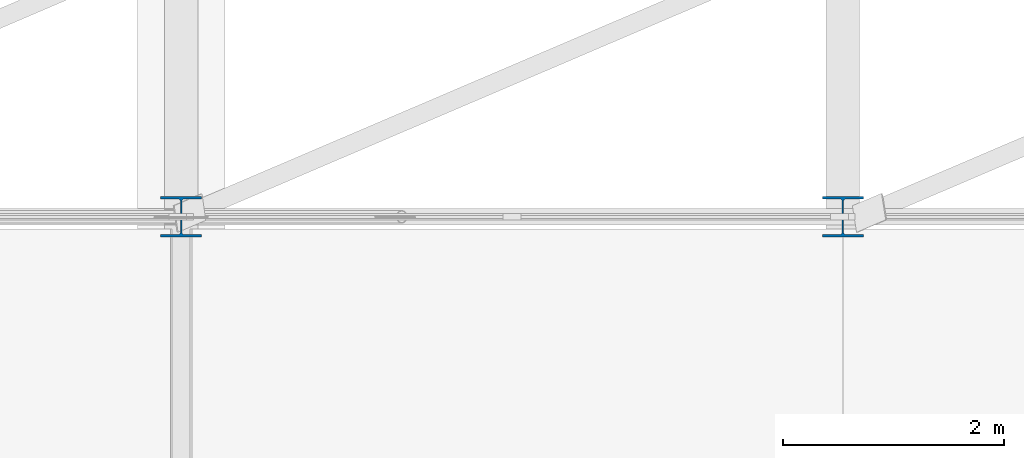
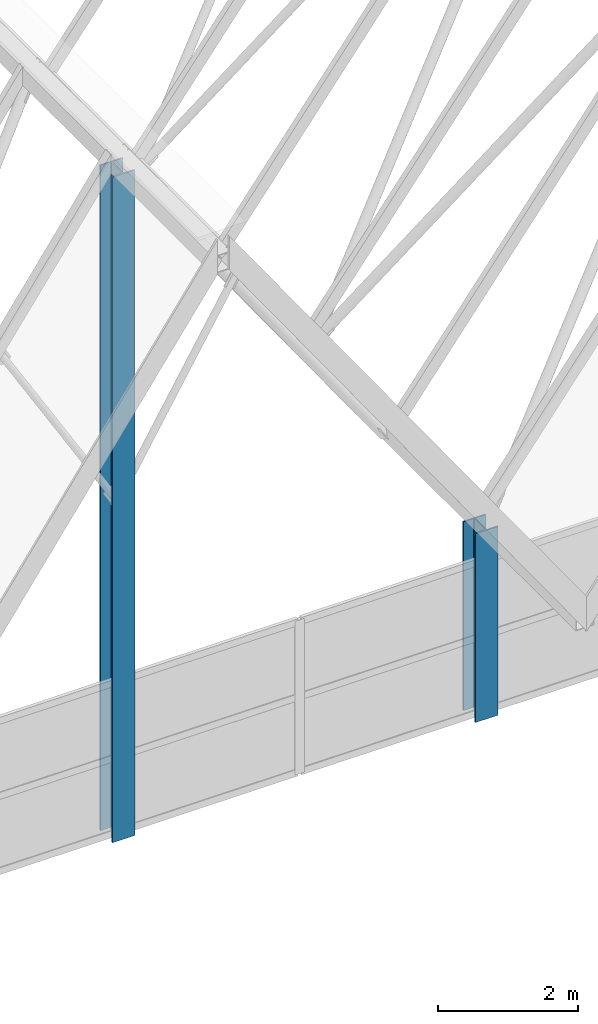
# One storey, part 2 of 483: 2 columns.
"""IFC4 building model written with IfcOpenShell, lengths in metres."""

import ifcopenshell
import ifcopenshell.guid

model = None  # the IFC model being written
_history = None  # IfcOwnerHistory: only IFC2X3 demands one
_inside = {}  # id of a spatial element -> (the spatial element, [elements in it])
_under = {}  # id of a project, library or spatial element -> (it, [spatial elements below it])
_declared = {}  # id of a project -> (the project, [libraries it declares])
_typed = {}  # id of a type object -> (the type object, [elements of that type])
_made_of = {}  # id of a material, layer set ... -> (it, [elements and type objects made of it])


def new_model(schema):
    """Start an empty IFC model of exactly this schema.

    Asked for "IFC4X3", IfcOpenShell would pick the latest addendum, in which some entities
    have other attributes; the version numbers below select the first issue.
    IFC2X3 requires an IfcOwnerHistory on every rooted entity: one is made here for all.
    """
    global model, _history
    if schema == "IFC4X3":
        model = ifcopenshell.file(schema_version=(4, 3, 0, 0))
    else:
        model = ifcopenshell.file(schema=schema)
    _inside.clear()
    _under.clear()
    _declared.clear()
    _typed.clear()
    _made_of.clear()
    _history = None
    if model.schema == "IFC2X3":
        org = make("IfcOrganization", Name="unknown")
        user = make(
            "IfcPersonAndOrganization",
            ThePerson=make("IfcPerson", FamilyName="unknown"),
            TheOrganization=org,
        )
        app = make(
            "IfcApplication",
            ApplicationDeveloper=org,
            Version="unknown",
            ApplicationFullName="unknown",
            ApplicationIdentifier="unknown",
        )
        _history = make(
            "IfcOwnerHistory",
            OwningUser=user,
            OwningApplication=app,
            ChangeAction="ADDED",
            CreationDate=0,
        )
    return model


def make(cls, **values):
    """One entity of the class cls with the attributes given. An attribute that is None is left unset."""
    return model.create_entity(
        cls, **{name: value for name, value in values.items() if value is not None}
    )


def rooted(cls, **values):
    """An entity with a GlobalId (a new one), such as an element, a storey or a relation."""
    return make(cls, GlobalId=ifcopenshell.guid.new(), OwnerHistory=_history, **values)


def si_unit(unit_type, name, prefix=None):
    """IfcSIUnit, for example si_unit("LENGTHUNIT", "METRE", prefix="MILLI")."""
    return make("IfcSIUnit", UnitType=unit_type, Prefix=prefix, Name=name)


def assignment(units):
    """IfcUnitAssignment: the units of a project."""
    return None if units is None else make("IfcUnitAssignment", Units=units)


def point(xyz):
    """IfcCartesianPoint."""
    return None if xyz is None else make("IfcCartesianPoint", Coordinates=xyz)


def direction(xyz):
    """IfcDirection."""
    return None if xyz is None else make("IfcDirection", DirectionRatios=xyz)


def frame(location, z_axis=None, x_axis=None):
    """IfcAxis2Placement3D, a coordinate frame: its origin and axes. An axis left out is left unset."""
    return make(
        "IfcAxis2Placement3D",
        Location=point(location),
        Axis=direction(z_axis),
        RefDirection=direction(x_axis),
    )


def frame_2d(location, x_axis=None):
    """IfcAxis2Placement2D, a coordinate frame in the plane: its origin and x axis."""
    return make(
        "IfcAxis2Placement2D", Location=point(location), RefDirection=direction(x_axis)
    )


def origin():
    """The frame at (0, 0, 0) with its axes left unset."""
    return frame((0.0, 0.0, 0.0))


def origin_2d():
    """The frame at (0, 0) in the plane with its x axis left unset."""
    return frame_2d((0.0, 0.0))


def place(relative_to, where):
    """IfcLocalPlacement: puts the frame where relative to a parent placement (None: the world)."""
    return make(
        "IfcLocalPlacement", PlacementRelTo=relative_to, RelativePlacement=where
    )


def context(
    kind, dimensions, precision=None, world=None, true_north=None, identifier=None
):
    """IfcGeometricRepresentationContext, for example the 3D "Model" context."""
    return make(
        "IfcGeometricRepresentationContext",
        ContextIdentifier=identifier,
        ContextType=kind,
        CoordinateSpaceDimension=dimensions,
        Precision=precision,
        WorldCoordinateSystem=world,
        TrueNorth=true_north,
    )


def subcontext(parent, identifier, kind, view, scale=None):
    """IfcGeometricRepresentationSubContext, for example "Body" below "Model"."""
    return make(
        "IfcGeometricRepresentationSubContext",
        ContextIdentifier=identifier,
        ContextType=kind,
        ParentContext=parent,
        TargetScale=scale,
        TargetView=view,
    )


def project(units=None, contexts=None):
    """IfcProject with its units and contexts."""
    return rooted(
        "IfcProject",
        Name="project",
        RepresentationContexts=contexts,
        UnitsInContext=assignment(units),
    )


def spatial(cls, under=None, at=None, **own):
    """A site, building, storey or space (cls), placed at a placement, below another one or the project."""
    s = rooted(cls, ObjectPlacement=at, **own)
    if under is not None:
        _under.setdefault(under.id(), (under, []))[1].append(s)
    return s


def profile(cls, at=None, kind="AREA", **sizes):
    """A parametric profile (cls). Its sizes go by their IFC names, for example OverallWidth=200.0."""
    return make(cls, ProfileType=kind, Position=at, **sizes)


def i_section(**sizes):
    """IfcIShapeProfileDef."""
    return profile("IfcIShapeProfileDef", **sizes)


def extrude(swept, where, along, depth):
    """IfcExtrudedAreaSolid: the profile swept, set in the frame where, extruded along a direction by depth."""
    return make(
        "IfcExtrudedAreaSolid",
        SweptArea=swept,
        Position=where,
        ExtrudedDirection=direction(along),
        Depth=depth,
    )


def shape(context_of_items, identifier, shape_type, items):
    """IfcShapeRepresentation: the items that make up one representation, for example the "Body"."""
    return make(
        "IfcShapeRepresentation",
        ContextOfItems=context_of_items,
        RepresentationIdentifier=identifier,
        RepresentationType=shape_type,
        Items=items,
    )


def material(Name=None, Category=None):
    """IfcMaterial."""
    return make("IfcMaterial", Name=Name, Category=Category)


def material_profile(
    of_material, cross_section, Name=None, Category=None, Priority=None
):
    """IfcMaterialProfile: a cross section and its material."""
    return make(
        "IfcMaterialProfile",
        Name=Name,
        Material=of_material,
        Profile=cross_section,
        Priority=Priority,
        Category=Category,
    )


def profile_set(profiles, Name=None, composite=None):
    """IfcMaterialProfileSet."""
    return make(
        "IfcMaterialProfileSet",
        Name=Name,
        MaterialProfiles=profiles,
        CompositeProfile=composite,
    )


def made_of(thing, what):
    """Note that an element or type object is made of a material, layer set ...; save() writes the relation."""
    if what is not None:
        _made_of.setdefault(what.id(), (what, []))[1].append(thing)
    return thing


def type_object(cls, material=None, **own):
    """A type object (cls), such as IfcWallType, which elements share."""
    return made_of(rooted(cls, **own), material)


def element(
    cls,
    number,
    at=None,
    inside=None,
    cuts=None,
    type_object=None,
    material=None,
    context=None,
    identifier="Body",
    shape_type=None,
    held_by="IfcProductDefinitionShape",
    body=None,
    shapes=None,
    **own,
):
    """One element of the class cls, such as IfcWall. Its Tag is "e" and its number.

    at: its placement. inside: the storey or other place that contains it. cuts: it is an
    opening in that element (IfcRelVoidsElement). A single representation is given by context,
    identifier, shape_type and body (its items); several are given by shapes. held_by: the class
    of the entity that holds the representations. save() writes the other relations.
    """
    e = rooted(cls, Tag="e%d" % number, ObjectPlacement=at, **own)
    if body is not None:
        shapes = [shape(context, identifier, shape_type, body)]
    if shapes is not None:
        e.Representation = make(held_by, Representations=shapes)
    if inside is not None:
        _inside.setdefault(inside.id(), (inside, []))[1].append(e)
    if cuts is not None:
        rooted(
            "IfcRelVoidsElement", RelatingBuildingElement=cuts, RelatedOpeningElement=e
        )
    if type_object is not None:
        _typed.setdefault(type_object.id(), (type_object, []))[1].append(e)
    return made_of(e, material)


def aggregate(whole, parts):
    """IfcRelAggregates: a whole, such as a stair, and the parts it consists of."""
    return rooted("IfcRelAggregates", RelatingObject=whole, RelatedObjects=parts)


def save(model, path):
    """Write the relations noted so far, then the file.

    IfcRelAggregates (storeys below a building ...), IfcRelContainedInSpatialStructure (elements
    in a storey), IfcRelDefinesByType, IfcRelAssociatesMaterial and IfcRelDeclares: one each for
    every whole, place, type object, material and project.
    """
    for whole, parts in _under.values():
        aggregate(whole, parts)
    for where, things in _inside.values():
        rooted(
            "IfcRelContainedInSpatialStructure",
            RelatedElements=things,
            RelatingStructure=where,
        )
    for kind, things in _typed.values():
        rooted("IfcRelDefinesByType", RelatedObjects=things, RelatingType=kind)
    for what, things in _made_of.values():
        rooted("IfcRelAssociatesMaterial", RelatedObjects=things, RelatingMaterial=what)
    for by, libraries in _declared.values():
        rooted("IfcRelDeclares", RelatingContext=by, RelatedDefinitions=libraries)
    model.write(path)


model = new_model("IFC4")

# Units and contexts
model_context = context("Model", 3, precision=1e-05, world=origin(), true_north=direction((0.0, 1.0)))
body_context = subcontext(model_context, "Body", "Model", "MODEL_VIEW")
ifc_project = project(units=[si_unit("LENGTHUNIT", "METRE"), si_unit("AREAUNIT", "SQUARE_METRE"), si_unit("VOLUMEUNIT", "CUBIC_METRE"), si_unit("PLANEANGLEUNIT", "RADIAN"), si_unit("MASSUNIT", "GRAM", prefix="KILO")], contexts=[model_context])

# Site, building, storey
site_placement = place(None, origin())
site = spatial("IfcSite", under=ifc_project, at=site_placement, CompositionType="ELEMENT")
building_placement = place(site_placement, origin())
building = spatial("IfcBuilding", under=site, at=building_placement, Name="Parallax Yard Mobility Hub", CompositionType="ELEMENT")
storey_placement = place(building_placement, frame((0.0, 0.0, 13.199951171875)))
storey = spatial("IfcBuildingStorey", under=building, at=storey_placement, Name="L04", CompositionType="ELEMENT", Elevation=13.199951171875)

# Columns
ifc_material = material(Name="Steel ASTM A992", Category="steel")
ifc_material_profile = material_profile(ifc_material, i_section(OverallWidth=0.373046875, OverallDepth=0.367919921875, WebThickness=0.014892578125, FlangeThickness=0.02392578125, FilletRadius=0.01513671875, at=origin_2d()), Name="W360x179")
ifc_profile_set = profile_set([ifc_material_profile], Name="Steel ASTM A992")
column_type = type_object("IfcColumnType", Name="W360x179 column", PredefinedType="COLUMN", material=ifc_profile_set)
column_1_placement = place(storey_placement, frame((63.0, 7.5, 0.0), z_axis=(0.0, 0.0, 1.0), x_axis=(1.0, 0.0, 0.0)))
element("IfcColumn", 1, at=column_1_placement, inside=storey, type_object=column_type, Name="Ridge column F10 south level L04", PredefinedType="COLUMN", context=body_context, shape_type="SweptSolid", body=[
    extrude(i_section(OverallWidth=0.373046875, OverallDepth=0.367919921875, WebThickness=0.014892578125, FlangeThickness=0.02392578125, FilletRadius=0.01513671875, at=origin_2d()), origin(), (0.0, 0.0, 1.0), 11.633056640625),
])
column_2_placement = place(storey_placement, frame((69.0, 7.5, 0.0), z_axis=(0.0, 0.0, 1.0), x_axis=(1.0, 0.0, 0.0)))
element("IfcColumn", 2, at=column_2_placement, inside=storey, type_object=column_type, Name="Valley column F11 south level L04", PredefinedType="COLUMN", context=body_context, shape_type="SweptSolid", body=[
    extrude(i_section(OverallWidth=0.373046875, OverallDepth=0.367919921875, WebThickness=0.014892578125, FlangeThickness=0.02392578125, FilletRadius=0.01513671875, at=origin_2d()), origin(), (0.0, 0.0, 1.0), 3.300048828125),
])

save(model, "model.ifc")
